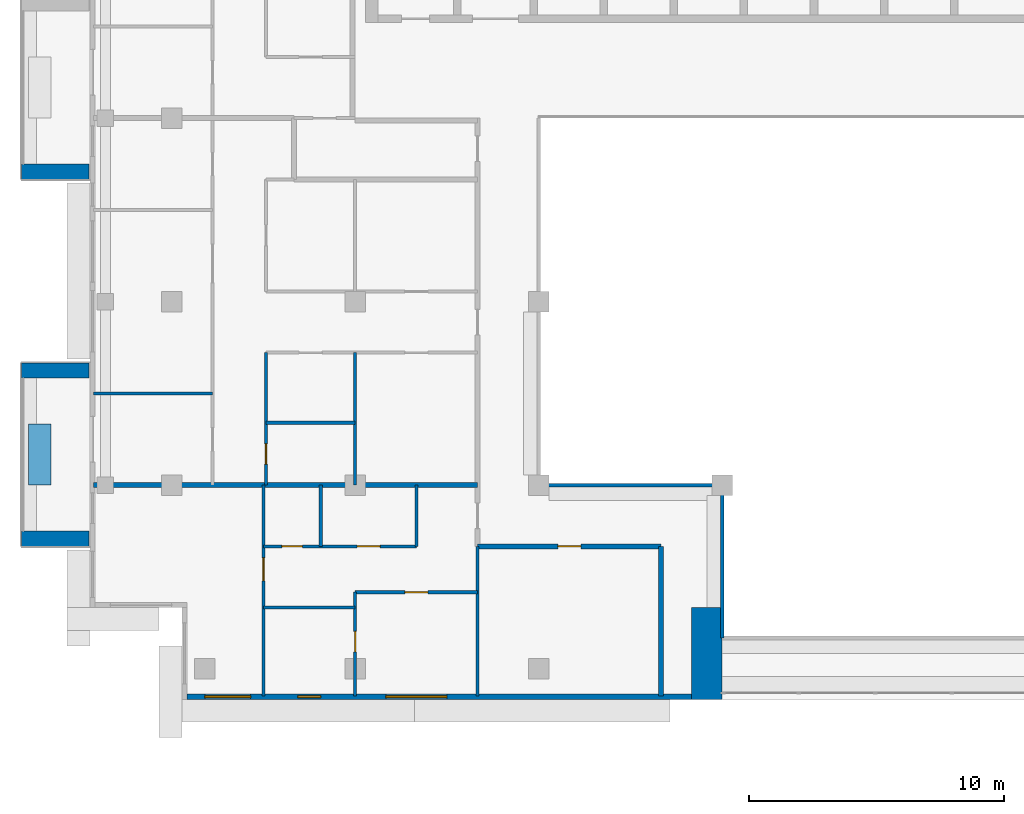
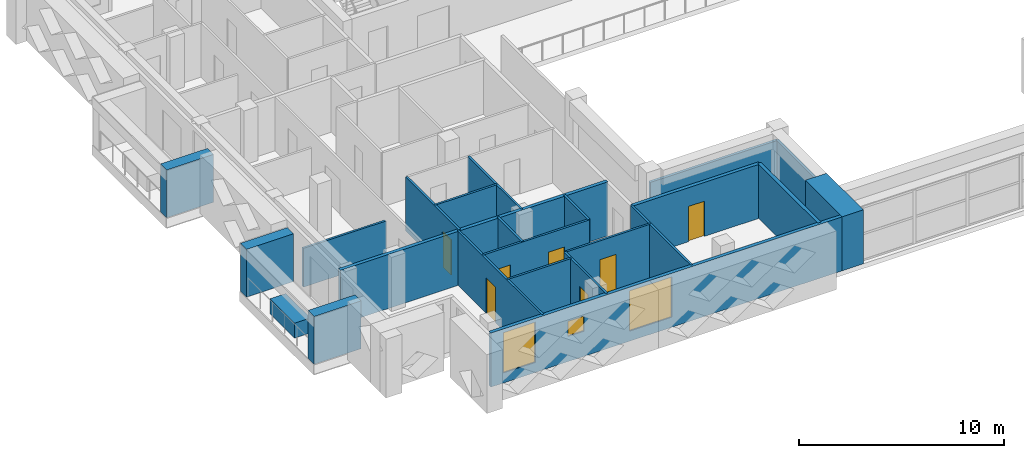
# One storey, part 6 of 19: 23 walls, 7 doors, 3 windows, 10 openings.
"""IFC4 building model written with IfcOpenShell, lengths in metres."""

import ifcopenshell
import ifcopenshell.guid

model = None  # the IFC model being written
_history = None  # IfcOwnerHistory: only IFC2X3 demands one
_inside = {}  # id of a spatial element -> (the spatial element, [elements in it])
_under = {}  # id of a project, library or spatial element -> (it, [spatial elements below it])
_declared = {}  # id of a project -> (the project, [libraries it declares])
_typed = {}  # id of a type object -> (the type object, [elements of that type])
_made_of = {}  # id of a material, layer set ... -> (it, [elements and type objects made of it])


def new_model(schema):
    """Start an empty IFC model of exactly this schema.

    Asked for "IFC4X3", IfcOpenShell would pick the latest addendum, in which some entities
    have other attributes; the version numbers below select the first issue.
    IFC2X3 requires an IfcOwnerHistory on every rooted entity: one is made here for all.
    """
    global model, _history
    if schema == "IFC4X3":
        model = ifcopenshell.file(schema_version=(4, 3, 0, 0))
    else:
        model = ifcopenshell.file(schema=schema)
    _inside.clear()
    _under.clear()
    _declared.clear()
    _typed.clear()
    _made_of.clear()
    _history = None
    if model.schema == "IFC2X3":
        org = make("IfcOrganization", Name="unknown")
        user = make(
            "IfcPersonAndOrganization",
            ThePerson=make("IfcPerson", FamilyName="unknown"),
            TheOrganization=org,
        )
        app = make(
            "IfcApplication",
            ApplicationDeveloper=org,
            Version="unknown",
            ApplicationFullName="unknown",
            ApplicationIdentifier="unknown",
        )
        _history = make(
            "IfcOwnerHistory",
            OwningUser=user,
            OwningApplication=app,
            ChangeAction="ADDED",
            CreationDate=0,
        )
    return model


def make(cls, **values):
    """One entity of the class cls with the attributes given. An attribute that is None is left unset."""
    return model.create_entity(
        cls, **{name: value for name, value in values.items() if value is not None}
    )


def rooted(cls, **values):
    """An entity with a GlobalId (a new one), such as an element, a storey or a relation."""
    return make(cls, GlobalId=ifcopenshell.guid.new(), OwnerHistory=_history, **values)


def si_unit(unit_type, name, prefix=None):
    """IfcSIUnit, for example si_unit("LENGTHUNIT", "METRE", prefix="MILLI")."""
    return make("IfcSIUnit", UnitType=unit_type, Prefix=prefix, Name=name)


def assignment(units):
    """IfcUnitAssignment: the units of a project."""
    return None if units is None else make("IfcUnitAssignment", Units=units)


def point(xyz):
    """IfcCartesianPoint."""
    return None if xyz is None else make("IfcCartesianPoint", Coordinates=xyz)


def direction(xyz):
    """IfcDirection."""
    return None if xyz is None else make("IfcDirection", DirectionRatios=xyz)


def frame(location, z_axis=None, x_axis=None):
    """IfcAxis2Placement3D, a coordinate frame: its origin and axes. An axis left out is left unset."""
    return make(
        "IfcAxis2Placement3D",
        Location=point(location),
        Axis=direction(z_axis),
        RefDirection=direction(x_axis),
    )


def frame_2d(location, x_axis=None):
    """IfcAxis2Placement2D, a coordinate frame in the plane: its origin and x axis."""
    return make(
        "IfcAxis2Placement2D", Location=point(location), RefDirection=direction(x_axis)
    )


def origin():
    """The frame at (0, 0, 0) with its axes left unset."""
    return frame((0.0, 0.0, 0.0))


def place(relative_to, where):
    """IfcLocalPlacement: puts the frame where relative to a parent placement (None: the world)."""
    return make(
        "IfcLocalPlacement", PlacementRelTo=relative_to, RelativePlacement=where
    )


def context(
    kind, dimensions, precision=None, world=None, true_north=None, identifier=None
):
    """IfcGeometricRepresentationContext, for example the 3D "Model" context."""
    return make(
        "IfcGeometricRepresentationContext",
        ContextIdentifier=identifier,
        ContextType=kind,
        CoordinateSpaceDimension=dimensions,
        Precision=precision,
        WorldCoordinateSystem=world,
        TrueNorth=true_north,
    )


def subcontext(parent, identifier, kind, view, scale=None):
    """IfcGeometricRepresentationSubContext, for example "Body" below "Model"."""
    return make(
        "IfcGeometricRepresentationSubContext",
        ContextIdentifier=identifier,
        ContextType=kind,
        ParentContext=parent,
        TargetScale=scale,
        TargetView=view,
    )


def project(units=None, contexts=None):
    """IfcProject with its units and contexts."""
    return rooted(
        "IfcProject",
        Name="project",
        RepresentationContexts=contexts,
        UnitsInContext=assignment(units),
    )


def spatial(cls, under=None, at=None, **own):
    """A site, building, storey or space (cls), placed at a placement, below another one or the project."""
    s = rooted(cls, ObjectPlacement=at, **own)
    if under is not None:
        _under.setdefault(under.id(), (under, []))[1].append(s)
    return s


def profile(cls, at=None, kind="AREA", **sizes):
    """A parametric profile (cls). Its sizes go by their IFC names, for example OverallWidth=200.0."""
    return make(cls, ProfileType=kind, Position=at, **sizes)


def rectangle(**sizes):
    """IfcRectangleProfileDef."""
    return profile("IfcRectangleProfileDef", **sizes)


def extrude(swept, where, along, depth):
    """IfcExtrudedAreaSolid: the profile swept, set in the frame where, extruded along a direction by depth."""
    return make(
        "IfcExtrudedAreaSolid",
        SweptArea=swept,
        Position=where,
        ExtrudedDirection=direction(along),
        Depth=depth,
    )


def shape(context_of_items, identifier, shape_type, items):
    """IfcShapeRepresentation: the items that make up one representation, for example the "Body"."""
    return make(
        "IfcShapeRepresentation",
        ContextOfItems=context_of_items,
        RepresentationIdentifier=identifier,
        RepresentationType=shape_type,
        Items=items,
    )


def material(Name=None, Category=None):
    """IfcMaterial."""
    return make("IfcMaterial", Name=Name, Category=Category)


def layer(
    of_material, thickness, ventilated=None, Name=None, Category=None, Priority=None
):
    """IfcMaterialLayer: one layer of a wall or slab, of a material (None: an air gap)."""
    return make(
        "IfcMaterialLayer",
        Material=of_material,
        LayerThickness=thickness,
        IsVentilated=ventilated,
        Name=Name,
        Category=Category,
        Priority=Priority,
    )


def layer_set(layers, Name=None):
    """IfcMaterialLayerSet."""
    return make("IfcMaterialLayerSet", MaterialLayers=layers, LayerSetName=Name)


def made_of(thing, what):
    """Note that an element or type object is made of a material, layer set ...; save() writes the relation."""
    if what is not None:
        _made_of.setdefault(what.id(), (what, []))[1].append(thing)
    return thing


def type_object(cls, material=None, **own):
    """A type object (cls), such as IfcWallType, which elements share."""
    return made_of(rooted(cls, **own), material)


def element(
    cls,
    number,
    at=None,
    inside=None,
    cuts=None,
    type_object=None,
    material=None,
    context=None,
    identifier="Body",
    shape_type=None,
    held_by="IfcProductDefinitionShape",
    body=None,
    shapes=None,
    **own,
):
    """One element of the class cls, such as IfcWall. Its Tag is "e" and its number.

    at: its placement. inside: the storey or other place that contains it. cuts: it is an
    opening in that element (IfcRelVoidsElement). A single representation is given by context,
    identifier, shape_type and body (its items); several are given by shapes. held_by: the class
    of the entity that holds the representations. save() writes the other relations.
    """
    e = rooted(cls, Tag="e%d" % number, ObjectPlacement=at, **own)
    if body is not None:
        shapes = [shape(context, identifier, shape_type, body)]
    if shapes is not None:
        e.Representation = make(held_by, Representations=shapes)
    if inside is not None:
        _inside.setdefault(inside.id(), (inside, []))[1].append(e)
    if cuts is not None:
        rooted(
            "IfcRelVoidsElement", RelatingBuildingElement=cuts, RelatedOpeningElement=e
        )
    if type_object is not None:
        _typed.setdefault(type_object.id(), (type_object, []))[1].append(e)
    return made_of(e, material)


def fill(opening, filler):
    """IfcRelFillsElement: the door or window that sits in an opening."""
    return rooted(
        "IfcRelFillsElement",
        RelatingOpeningElement=opening,
        RelatedBuildingElement=filler,
    )


def aggregate(whole, parts):
    """IfcRelAggregates: a whole, such as a stair, and the parts it consists of."""
    return rooted("IfcRelAggregates", RelatingObject=whole, RelatedObjects=parts)


def save(model, path):
    """Write the relations noted so far, then the file.

    IfcRelAggregates (storeys below a building ...), IfcRelContainedInSpatialStructure (elements
    in a storey), IfcRelDefinesByType, IfcRelAssociatesMaterial and IfcRelDeclares: one each for
    every whole, place, type object, material and project.
    """
    for whole, parts in _under.values():
        aggregate(whole, parts)
    for where, things in _inside.values():
        rooted(
            "IfcRelContainedInSpatialStructure",
            RelatedElements=things,
            RelatingStructure=where,
        )
    for kind, things in _typed.values():
        rooted("IfcRelDefinesByType", RelatedObjects=things, RelatingType=kind)
    for what, things in _made_of.values():
        rooted("IfcRelAssociatesMaterial", RelatedObjects=things, RelatingMaterial=what)
    for by, libraries in _declared.values():
        rooted("IfcRelDeclares", RelatingContext=by, RelatedDefinitions=libraries)
    model.write(path)


model = new_model("IFC4")

# Units and contexts
model_context = context("Model", 3, precision=1e-05, world=origin(), true_north=direction((0.0, 1.0)))
body_context = subcontext(model_context, "Body", "Model", "MODEL_VIEW")
ifc_project = project(units=[si_unit("LENGTHUNIT", "METRE"), si_unit("AREAUNIT", "SQUARE_METRE"), si_unit("VOLUMEUNIT", "CUBIC_METRE"), si_unit("PLANEANGLEUNIT", "RADIAN"), si_unit("MASSUNIT", "GRAM", prefix="KILO")], contexts=[model_context])

# Site, building, storey
site_placement = place(None, origin())
site = spatial("IfcSite", under=ifc_project, at=site_placement, CompositionType="ELEMENT")
building_placement = place(site_placement, origin())
building = spatial("IfcBuilding", under=site, at=building_placement, Name="Saffron Iwan Residences", CompositionType="ELEMENT")
storey_placement = place(building_placement, frame((0.0, 0.0, 250.0)))
storey = spatial("IfcBuildingStorey", under=building, at=storey_placement, Name="L67", CompositionType="ELEMENT", Elevation=250.0)

# Walls
ifc_material_1 = material(Name="Fire-rated glazing", Category="glass")
ifc_layer_1 = layer(ifc_material_1, 0.14990234375)
ifc_layer_set_1 = layer_set([ifc_layer_1], Name="Fire-rated glazing")
wall_type_1 = type_object("IfcWallType", Name="Atrium glazed screen 150", PredefinedType="SOLIDWALL", material=ifc_layer_set_1)
wall_1_placement = place(storey_placement, frame((36.0, 48.0, 0.0), z_axis=(0.0, 0.0, 1.0), x_axis=(1.0, 0.0, 0.0)))
element("IfcWall", 1, at=wall_1_placement, inside=storey, type_object=wall_type_1, Name="W-L67-SCREEN-h48-36", PredefinedType="SOLIDWALL", context=body_context, shape_type="SweptSolid", body=[
    extrude(rectangle(XDim=7.199951171875, YDim=0.14990234375, at=frame_2d((3.60009765625, 0.0))), origin(), (0.0, 0.0, 1.0), 2.320068359375),
])
wall_2_placement = place(storey_placement, frame((43.199951171875, 42.0, 0.0), z_axis=(0.0, 0.0, 1.0), x_axis=(0.0, 1.0, 0.0)))
element("IfcWall", 2, at=wall_2_placement, inside=storey, type_object=wall_type_1, Name="W-L67-SCREEN-v43.2-42", PredefinedType="SOLIDWALL", context=body_context, shape_type="SweptSolid", body=[
    extrude(rectangle(XDim=6.0, YDim=0.14990234375, at=frame_2d((3.0, 0.0))), origin(), (0.0, 0.0, 1.0), 2.320068359375),
])
ifc_material_2 = material(Name="Concrete C50/60 white painted", Category="concrete")
ifc_layer_2 = layer(ifc_material_2, 0.60009765625)
ifc_layer_set_2 = layer_set([ifc_layer_2], Name="Concrete C50/60 white painted")
wall_type_2 = type_object("IfcWallType", Name="BALCONY FIN 600", PredefinedType="SOLIDWALL", material=ifc_layer_set_2)
for number, where, z_axis, x_axis, name in (
    (3, (18.35009765625, 60.300048828125, 0.0), (0.0, 0.0, 1.0), (-1.0, 0.0, 0.0), "Balcony fin L67 F8-0b"),
    (4, (18.35009765625, 52.5, 0.0), (0.0, 0.0, 1.0), (-1.0, 0.0, 0.0), "Balcony fin L67 F8-1a"),
    (5, (18.35009765625, 45.89990234375, 0.0), (0.0, 0.0, 1.0), (-1.0, 0.0, 0.0), "Balcony fin L67 F8-1b"),
):
    element("IfcWall", number, at=place(storey_placement, frame(where, z_axis=z_axis, x_axis=x_axis)), inside=storey, type_object=wall_type_2, Name=name, PredefinedType="SOLIDWALL", context=body_context, shape_type="SweptSolid", body=[
        extrude(rectangle(XDim=2.650146484375, YDim=0.60009765625, at=frame_2d((1.3251953125, 0.0))), origin(), (0.0, 0.0, 1.0), 2.85009765625),
    ])
ifc_material_3 = material(Name="Concrete C35/45 white painted", Category="concrete")
ifc_layer_3 = layer(ifc_material_3, 0.14990234375)
ifc_layer_set_3 = layer_set([ifc_layer_3], Name="Concrete C35/45 white painted")
wall_type_3 = type_object("IfcWallType", Name="BALCONY PLANTER", PredefinedType="SOLIDWALL", material=ifc_layer_set_3)
wall_3_placement = place(storey_placement, frame((16.425048828125, 50.39990234375, 0.0), z_axis=(0.0, 0.0, 1.0), x_axis=(0.0, -1.0, 0.0)))
element("IfcWall", 6, at=wall_3_placement, inside=storey, type_object=wall_type_3, Name="PLANTER L67 F8-1", PredefinedType="SOLIDWALL", context=body_context, shape_type="SweptSolid", body=[
    extrude(rectangle(XDim=2.39990234375, YDim=0.89990234375, at=frame_2d((1.199951171875, 0.0))), origin(), (0.0, 0.0, 1.0), 0.89990234375),
])

# Wall, openings, windows
ifc_material_4 = material(Name="Concrete C40/50", Category="concrete")
ifc_layer_4 = layer(ifc_material_4, 0.199951171875)
ifc_layer_set_4 = layer_set([ifc_layer_4], Name="Concrete C40/50")
wall_type_4 = type_object("IfcWallType", Name="EXTERNAL WALL 200", PredefinedType="SOLIDWALL", material=ifc_layer_set_4)
wall_4_placement = place(storey_placement, frame((22.199951171875, 39.699951171875, 0.0), z_axis=(0.0, 0.0, 1.0), x_axis=(1.0, 0.0, 0.0)))
wall_4 = element("IfcWall", 7, at=wall_4_placement, inside=storey, type_object=wall_type_4, Name="External wall L67 F11.0", PredefinedType="SOLIDWALL", context=body_context, shape_type="SweptSolid", body=[
    extrude(rectangle(XDim=19.800048828125, YDim=0.199951171875, at=frame_2d((9.89990234375, 0.0))), origin(), (0.0, 0.0, 1.0), 3.219970703125),
])
opening_1_placement = place(wall_4_placement, frame((0.699951171875, 0.0, 0.60009765625)))
opening_1 = element("IfcOpeningElement", 8, at=opening_1_placement, cuts=wall_4, Name="Opening W8", PredefinedType="OPENING", context=body_context, shape_type="SweptSolid", body=[
    extrude(rectangle(XDim=1.800048828125, YDim=2.39990234375, at=frame_2d((0.89990234375, 1.199951171875))), frame((0.0, 0.10986328125, 0.0), z_axis=(0.0, -1.0, 0.0), x_axis=(1.0, 0.0, 0.0)), (0.0, 0.0, 1.0), 0.219970703125),
])
opening_2_placement = place(wall_4_placement, frame((7.800048828125, 0.0, 0.60009765625)))
opening_2 = element("IfcOpeningElement", 9, at=opening_2_placement, cuts=wall_4, Name="Opening W1", PredefinedType="OPENING", context=body_context, shape_type="SweptSolid", body=[
    extrude(rectangle(XDim=2.39990234375, YDim=2.39990234375, at=frame_2d((1.199951171875, 1.199951171875))), frame((0.0, 0.10986328125, 0.0), z_axis=(0.0, -1.0, 0.0), x_axis=(1.0, 0.0, 0.0)), (0.0, 0.0, 1.0), 0.219970703125),
])
opening_3_placement = place(wall_4_placement, frame((4.35009765625, 0.0, 1.5)))
opening_3 = element("IfcOpeningElement", 10, at=opening_3_placement, cuts=wall_4, Name="Opening W6", PredefinedType="OPENING", context=body_context, shape_type="SweptSolid", body=[
    extrude(rectangle(XDim=0.89990234375, YDim=0.89990234375, at=frame_2d((0.449951171875, 0.449951171875))), frame((0.0, 0.10986328125, 0.0), z_axis=(0.0, -1.0, 0.0), x_axis=(1.0, 0.0, 0.0)), (0.0, 0.0, 1.0), 0.219970703125),
])
ifc_material_5 = material(Name="Clear glass, laminated double glazed", Category="glass")
window_type_1 = type_object("IfcWindowType", Name="WINDOW 1800 x 2400", PartitioningType="DOUBLE_PANEL_VERTICAL", PredefinedType="WINDOW", material=ifc_material_5)
window_1_placement = place(opening_1_placement, origin())
window_1 = element("IfcWindow", 11, at=window_1_placement, inside=storey, type_object=window_type_1, Name="Window L67 F11.0", OverallHeight=2.39990234375, OverallWidth=1.800048828125, PartitioningType="DOUBLE_PANEL_VERTICAL", PredefinedType="WINDOW", context=body_context, shape_type="SweptSolid", body=[
    extrude(rectangle(XDim=1.800048828125, YDim=2.39990234375, at=frame_2d((0.89990234375, 1.199951171875))), frame((0.0, 0.030029296875, 0.0), z_axis=(0.0, -1.0, 0.0), x_axis=(1.0, 0.0, 0.0)), (0.0, 0.0, 1.0), 0.06005859375),
])
fill(opening_1, window_1)
window_type_2 = type_object("IfcWindowType", Name="WINDOW 2400 x 2400", PartitioningType="DOUBLE_PANEL_VERTICAL", PredefinedType="WINDOW", material=ifc_material_5)
window_2_placement = place(opening_2_placement, origin())
window_2 = element("IfcWindow", 12, at=window_2_placement, inside=storey, type_object=window_type_2, Name="Window L67 F11.1", OverallHeight=2.39990234375, OverallWidth=2.39990234375, PartitioningType="DOUBLE_PANEL_VERTICAL", PredefinedType="WINDOW", context=body_context, shape_type="SweptSolid", body=[
    extrude(rectangle(XDim=2.39990234375, YDim=2.39990234375, at=frame_2d((1.199951171875, 1.199951171875))), frame((0.0, 0.030029296875, 0.0), z_axis=(0.0, -1.0, 0.0), x_axis=(1.0, 0.0, 0.0)), (0.0, 0.0, 1.0), 0.06005859375),
])
fill(opening_2, window_2)
window_type_3 = type_object("IfcWindowType", Name="WINDOW 900 x 900 BATH", PartitioningType="SINGLE_PANEL", PredefinedType="WINDOW", material=ifc_material_5)
window_3_placement = place(opening_3_placement, origin())
window_3 = element("IfcWindow", 13, at=window_3_placement, inside=storey, type_object=window_type_3, Name="Window L67 F11.2", OverallHeight=0.89990234375, OverallWidth=0.89990234375, PartitioningType="SINGLE_PANEL", PredefinedType="WINDOW", context=body_context, shape_type="SweptSolid", body=[
    extrude(rectangle(XDim=0.89990234375, YDim=0.89990234375, at=frame_2d((0.449951171875, 0.449951171875))), frame((0.0, 0.030029296875, 0.0), z_axis=(0.0, -1.0, 0.0), x_axis=(1.0, 0.0, 0.0)), (0.0, 0.0, 1.0), 0.06005859375),
])
fill(opening_3, window_3)

# Walls
ifc_material_6 = material(Name="Fire-rated gypsum board wall")
ifc_layer_5 = layer(ifc_material_6, 0.199951171875)
ifc_layer_set_5 = layer_set([ifc_layer_5], Name="Fire-rated gypsum board wall")
wall_type_5 = type_object("IfcWallType", Name="Flat demising wall 200", PredefinedType="SOLIDWALL", material=ifc_layer_set_5)
wall_5_placement = place(storey_placement, frame((18.52490234375, 48.0, 0.0), z_axis=(0.0, 0.0, 1.0), x_axis=(1.0, 0.0, 0.0)))
element("IfcWall", 14, at=wall_5_placement, inside=storey, type_object=wall_type_5, Name="W-L67-DEMISE-h48-18.525", PredefinedType="SOLIDWALL", context=body_context, shape_type="SweptSolid", body=[
    extrude(rectangle(XDim=15.0751953125, YDim=0.199951171875, at=frame_2d((7.53759765625, 0.0))), origin(), (0.0, 0.0, 1.0), 3.219970703125),
])
ifc_material_7 = material(Name="Gypsum board partition")
ifc_layer_6 = layer(ifc_material_7, 0.1201171875)
ifc_layer_set_6 = layer_set([ifc_layer_6], Name="Gypsum board partition")
wall_type_6 = type_object("IfcWallType", Name="Flat partition 120", PredefinedType="PARTITIONING", material=ifc_layer_set_6)
wall_6_placement = place(storey_placement, frame((25.199951171875, 43.199951171875, 0.0), z_axis=(0.0, 0.0, 1.0), x_axis=(1.0, 0.0, 0.0)))
element("IfcWall", 15, at=wall_6_placement, inside=storey, type_object=wall_type_6, Name="W-L67-PART-h43.2-25.2", PredefinedType="PARTITIONING", context=body_context, shape_type="SweptSolid", body=[
    extrude(rectangle(XDim=3.60009765625, YDim=0.1201171875, at=frame_2d((1.800048828125, 0.0))), origin(), (0.0, 0.0, 1.0), 3.219970703125),
])

# Wall, opening, door
wall_7_placement = place(storey_placement, frame((28.800048828125, 43.800048828125, 0.0), z_axis=(0.0, 0.0, 1.0), x_axis=(1.0, 0.0, 0.0)))
wall_7 = element("IfcWall", 16, at=wall_7_placement, inside=storey, type_object=wall_type_6, Name="W-L67-PART-h43.8-28.8", PredefinedType="PARTITIONING", context=body_context, shape_type="SweptSolid", body=[
    extrude(rectangle(XDim=4.800048828125, YDim=0.1201171875, at=frame_2d((2.39990234375, 0.0))), origin(), (0.0, 0.0, 1.0), 3.219970703125),
])
opening_4_placement = place(wall_7_placement, frame((1.949951171875, 0.0, 0.0)))
opening_4 = element("IfcOpeningElement", 17, at=opening_4_placement, cuts=wall_7, Name="Opening FD2", PredefinedType="OPENING", context=body_context, shape_type="SweptSolid", body=[
    extrude(rectangle(XDim=0.89990234375, YDim=2.10009765625, at=frame_2d((0.449951171875, 1.050048828125))), frame((0.0, 0.070068359375, 0.0), z_axis=(0.0, -1.0, 0.0), x_axis=(1.0, 0.0, 0.0)), (0.0, 0.0, 1.0), 0.14013671875),
])
ifc_material_8 = material(Name="Timber door", Category="wood")
door_type_1 = type_object("IfcDoorType", Name="Flat door 900", OperationType="NOTDEFINED", PredefinedType="DOOR", material=ifc_material_8)
door_1_placement = place(opening_4_placement, origin())
door_1 = element("IfcDoor", 18, at=door_1_placement, inside=storey, type_object=door_type_1, Name="Door L67-003", OperationType="SINGLE_SWING_RIGHT", OverallHeight=2.10009765625, OverallWidth=0.89990234375, PredefinedType="DOOR", context=body_context, shape_type="SweptSolid", body=[
    extrude(rectangle(XDim=0.89990234375, YDim=2.10009765625, at=frame_2d((0.449951171875, 1.050048828125))), frame((0.0, 0.02490234375, 0.0), z_axis=(0.0, -1.0, 0.0), x_axis=(1.0, 0.0, 0.0)), (0.0, 0.0, 1.0), 0.050048828125),
])
fill(opening_4, door_1)

# Wall, openings, doors
wall_8_placement = place(storey_placement, frame((25.199951171875, 45.60009765625, 0.0), z_axis=(0.0, 0.0, 1.0), x_axis=(1.0, 0.0, 0.0)))
wall_8 = element("IfcWall", 19, at=wall_8_placement, inside=storey, type_object=wall_type_6, Name="W-L67-PART-h45.6-25.2", PredefinedType="PARTITIONING", context=body_context, shape_type="SweptSolid", body=[
    extrude(rectangle(XDim=6.0, YDim=0.1201171875, at=frame_2d((3.0, 0.0))), origin(), (0.0, 0.0, 1.0), 3.219970703125),
])
opening_5_placement = place(wall_8_placement, frame((0.72509765625, 0.0, 0.0)))
opening_5 = element("IfcOpeningElement", 20, at=opening_5_placement, cuts=wall_8, Name="Opening FD3", PredefinedType="OPENING", context=body_context, shape_type="SweptSolid", body=[
    extrude(rectangle(XDim=0.800048828125, YDim=2.10009765625, at=frame_2d((0.39990234375, 1.050048828125))), frame((0.0, 0.070068359375, 0.0), z_axis=(0.0, -1.0, 0.0), x_axis=(1.0, 0.0, 0.0)), (0.0, 0.0, 1.0), 0.14013671875),
])
opening_6_placement = place(wall_8_placement, frame((3.675048828125, 0.0, 0.0)))
opening_6 = element("IfcOpeningElement", 21, at=opening_6_placement, cuts=wall_8, Name="Opening FD2", PredefinedType="OPENING", context=body_context, shape_type="SweptSolid", body=[
    extrude(rectangle(XDim=0.89990234375, YDim=2.10009765625, at=frame_2d((0.449951171875, 1.050048828125))), frame((0.0, 0.070068359375, 0.0), z_axis=(0.0, -1.0, 0.0), x_axis=(1.0, 0.0, 0.0)), (0.0, 0.0, 1.0), 0.14013671875),
])
door_type_2 = type_object("IfcDoorType", Name="Bathroom door 800", OperationType="NOTDEFINED", PredefinedType="DOOR", material=ifc_material_8)
door_2_placement = place(opening_5_placement, origin())
door_2 = element("IfcDoor", 22, at=door_2_placement, inside=storey, type_object=door_type_2, Name="Door L67-005", OperationType="SINGLE_SWING_LEFT", OverallHeight=2.10009765625, OverallWidth=0.800048828125, PredefinedType="DOOR", context=body_context, shape_type="SweptSolid", body=[
    extrude(rectangle(XDim=0.800048828125, YDim=2.10009765625, at=frame_2d((0.39990234375, 1.050048828125))), frame((0.0, 0.02490234375, 0.0), z_axis=(0.0, -1.0, 0.0), x_axis=(1.0, 0.0, 0.0)), (0.0, 0.0, 1.0), 0.050048828125),
])
fill(opening_5, door_2)
door_3_placement = place(opening_6_placement, origin())
door_3 = element("IfcDoor", 23, at=door_3_placement, inside=storey, type_object=door_type_1, Name="Door L67-006", OperationType="SINGLE_SWING_RIGHT", OverallHeight=2.10009765625, OverallWidth=0.89990234375, PredefinedType="DOOR", context=body_context, shape_type="SweptSolid", body=[
    extrude(rectangle(XDim=0.89990234375, YDim=2.10009765625, at=frame_2d((0.449951171875, 1.050048828125))), frame((0.0, 0.02490234375, 0.0), z_axis=(0.0, -1.0, 0.0), x_axis=(1.0, 0.0, 0.0)), (0.0, 0.0, 1.0), 0.050048828125),
])
fill(opening_6, door_3)

# Walls
wall_9_placement = place(storey_placement, frame((25.300048828125, 50.449951171875, 0.0), z_axis=(0.0, 0.0, 1.0), x_axis=(1.0, 0.0, 0.0)))
element("IfcWall", 24, at=wall_9_placement, inside=storey, type_object=wall_type_6, Name="W-L67-PART-h50.45-25.3", PredefinedType="PARTITIONING", context=body_context, shape_type="SweptSolid", body=[
    extrude(rectangle(XDim=3.5, YDim=0.1201171875, at=frame_2d((1.75, 0.0))), origin(), (0.0, 0.0, 1.0), 3.219970703125),
])
wall_10_placement = place(storey_placement, frame((18.52490234375, 51.60009765625, 0.0), z_axis=(0.0, 0.0, 1.0), x_axis=(1.0, 0.0, 0.0)))
element("IfcWall", 25, at=wall_10_placement, inside=storey, type_object=wall_type_6, Name="W-L67-PART-h51.6-18.525", PredefinedType="PARTITIONING", context=body_context, shape_type="SweptSolid", body=[
    extrude(rectangle(XDim=4.675048828125, YDim=0.1201171875, at=frame_2d((2.33740234375, 0.0))), origin(), (0.0, 0.0, 1.0), 2.320068359375),
])

# Wall, opening, door
wall_11_placement = place(storey_placement, frame((25.199951171875, 39.72509765625, 0.0), z_axis=(0.0, 0.0, 1.0), x_axis=(0.0, 1.0, 0.0)))
wall_11 = element("IfcWall", 26, at=wall_11_placement, inside=storey, type_object=wall_type_6, Name="W-L67-PART-v25.2-39.725", PredefinedType="PARTITIONING", context=body_context, shape_type="SweptSolid", body=[
    extrude(rectangle(XDim=8.27490234375, YDim=0.1201171875, at=frame_2d((4.137451171875, 0.0))), origin(), (0.0, 0.0, 1.0), 3.219970703125),
])
opening_7_placement = place(wall_11_placement, frame((4.52490234375, 0.0, 0.0)))
opening_7 = element("IfcOpeningElement", 27, at=opening_7_placement, cuts=wall_11, Name="Opening FD2", PredefinedType="OPENING", context=body_context, shape_type="SweptSolid", body=[
    extrude(rectangle(XDim=0.89990234375, YDim=2.10009765625, at=frame_2d((0.449951171875, 1.050048828125))), frame((0.0, 0.070068359375, 0.0), z_axis=(0.0, -1.0, 0.0), x_axis=(1.0, 0.0, 0.0)), (0.0, 0.0, 1.0), 0.14013671875),
])
door_4_placement = place(opening_7_placement, origin())
door_4 = element("IfcDoor", 28, at=door_4_placement, inside=storey, type_object=door_type_1, Name="Door L67-002", OperationType="SINGLE_SWING_LEFT", OverallHeight=2.10009765625, OverallWidth=0.89990234375, PredefinedType="DOOR", context=body_context, shape_type="SweptSolid", body=[
    extrude(rectangle(XDim=0.89990234375, YDim=2.10009765625, at=frame_2d((0.449951171875, 1.050048828125))), frame((0.0, 0.02490234375, 0.0), z_axis=(0.0, -1.0, 0.0), x_axis=(1.0, 0.0, 0.0)), (0.0, 0.0, 1.0), 0.050048828125),
])
fill(opening_7, door_4)

wall_12_placement = place(storey_placement, frame((25.300048828125, 48.0, 0.0), z_axis=(0.0, 0.0, 1.0), x_axis=(0.0, 1.0, 0.0)))
wall_12 = element("IfcWall", 29, at=wall_12_placement, inside=storey, type_object=wall_type_6, Name="W-L67-PART-v25.3-48", PredefinedType="PARTITIONING", context=body_context, shape_type="SweptSolid", body=[
    extrude(rectangle(XDim=5.199951171875, YDim=0.1201171875, at=frame_2d((2.60009765625, 0.0))), origin(), (0.0, 0.0, 1.0), 3.219970703125),
])
opening_8_placement = place(wall_12_placement, frame((0.824951171875, 0.0, 0.0)))
opening_8 = element("IfcOpeningElement", 30, at=opening_8_placement, cuts=wall_12, Name="Opening FD3", PredefinedType="OPENING", context=body_context, shape_type="SweptSolid", body=[
    extrude(rectangle(XDim=0.800048828125, YDim=2.10009765625, at=frame_2d((0.39990234375, 1.050048828125))), frame((0.0, 0.070068359375, 0.0), z_axis=(0.0, -1.0, 0.0), x_axis=(1.0, 0.0, 0.0)), (0.0, 0.0, 1.0), 0.14013671875),
])
door_5_placement = place(opening_8_placement, origin())
door_5 = element("IfcDoor", 31, at=door_5_placement, inside=storey, type_object=door_type_2, Name="Door L67-012", OperationType="SINGLE_SWING_RIGHT", OverallHeight=2.10009765625, OverallWidth=0.800048828125, PredefinedType="DOOR", context=body_context, shape_type="SweptSolid", body=[
    extrude(rectangle(XDim=0.800048828125, YDim=2.10009765625, at=frame_2d((0.39990234375, 1.050048828125))), frame((0.0, 0.02490234375, 0.0), z_axis=(0.0, -1.0, 0.0), x_axis=(1.0, 0.0, 0.0)), (0.0, 0.0, 1.0), 0.050048828125),
])
fill(opening_8, door_5)

# Wall
wall_13_placement = place(storey_placement, frame((27.449951171875, 45.60009765625, 0.0), z_axis=(0.0, 0.0, 1.0), x_axis=(0.0, 1.0, 0.0)))
element("IfcWall", 32, at=wall_13_placement, inside=storey, type_object=wall_type_6, Name="W-L67-PART-v27.45-45.6", PredefinedType="PARTITIONING", context=body_context, shape_type="SweptSolid", body=[
    extrude(rectangle(XDim=2.39990234375, YDim=0.1201171875, at=frame_2d((1.199951171875, 0.0))), origin(), (0.0, 0.0, 1.0), 3.219970703125),
])

# Wall, opening, door
wall_14_placement = place(storey_placement, frame((28.800048828125, 39.72509765625, 0.0), z_axis=(0.0, 0.0, 1.0), x_axis=(0.0, 1.0, 0.0)))
wall_14 = element("IfcWall", 33, at=wall_14_placement, inside=storey, type_object=wall_type_6, Name="W-L67-PART-v28.8-39.725", PredefinedType="PARTITIONING", context=body_context, shape_type="SweptSolid", body=[
    extrude(rectangle(XDim=4.074951171875, YDim=0.1201171875, at=frame_2d((2.03759765625, 0.0))), origin(), (0.0, 0.0, 1.0), 3.219970703125),
])
opening_9_placement = place(wall_14_placement, frame((1.737548828125, 0.0, 0.0)))
opening_9 = element("IfcOpeningElement", 34, at=opening_9_placement, cuts=wall_14, Name="Opening FD3", PredefinedType="OPENING", context=body_context, shape_type="SweptSolid", body=[
    extrude(rectangle(XDim=0.800048828125, YDim=2.10009765625, at=frame_2d((0.39990234375, 1.050048828125))), frame((0.0, 0.070068359375, 0.0), z_axis=(0.0, -1.0, 0.0), x_axis=(1.0, 0.0, 0.0)), (0.0, 0.0, 1.0), 0.14013671875),
])
door_6_placement = place(opening_9_placement, origin())
door_6 = element("IfcDoor", 35, at=door_6_placement, inside=storey, type_object=door_type_2, Name="Door L67-004", OperationType="SINGLE_SWING_RIGHT", OverallHeight=2.10009765625, OverallWidth=0.800048828125, PredefinedType="DOOR", context=body_context, shape_type="SweptSolid", body=[
    extrude(rectangle(XDim=0.800048828125, YDim=2.10009765625, at=frame_2d((0.39990234375, 1.050048828125))), frame((0.0, 0.02490234375, 0.0), z_axis=(0.0, -1.0, 0.0), x_axis=(1.0, 0.0, 0.0)), (0.0, 0.0, 1.0), 0.050048828125),
])
fill(opening_9, door_6)

# Walls
wall_15_placement = place(storey_placement, frame((28.800048828125, 48.0, 0.0), z_axis=(0.0, 0.0, 1.0), x_axis=(0.0, 1.0, 0.0)))
element("IfcWall", 36, at=wall_15_placement, inside=storey, type_object=wall_type_6, Name="W-L67-PART-v28.8-48", PredefinedType="PARTITIONING", context=body_context, shape_type="SweptSolid", body=[
    extrude(rectangle(XDim=5.199951171875, YDim=0.1201171875, at=frame_2d((2.60009765625, 0.0))), origin(), (0.0, 0.0, 1.0), 3.219970703125),
])
wall_16_placement = place(storey_placement, frame((31.199951171875, 45.60009765625, 0.0), z_axis=(0.0, 0.0, 1.0), x_axis=(0.0, 1.0, 0.0)))
element("IfcWall", 37, at=wall_16_placement, inside=storey, type_object=wall_type_6, Name="W-L67-PART-v31.2-45.6", PredefinedType="PARTITIONING", context=body_context, shape_type="SweptSolid", body=[
    extrude(rectangle(XDim=2.39990234375, YDim=0.1201171875, at=frame_2d((1.199951171875, 0.0))), origin(), (0.0, 0.0, 1.0), 3.219970703125),
])
wall_17_placement = place(storey_placement, frame((33.60009765625, 39.72509765625, 0.0), z_axis=(0.0, 0.0, 1.0), x_axis=(0.0, 1.0, 0.0)))
element("IfcWall", 38, at=wall_17_placement, inside=storey, type_object=wall_type_6, Name="W-L67-PART-v33.6-39.725", PredefinedType="PARTITIONING", context=body_context, shape_type="SweptSolid", body=[
    extrude(rectangle(XDim=5.875, YDim=0.1201171875, at=frame_2d((2.9375, 0.0))), origin(), (0.0, 0.0, 1.0), 3.219970703125),
])

# Wall, opening, door
ifc_layer_7 = layer(ifc_material_6, 0.199951171875)
ifc_layer_set_7 = layer_set([ifc_layer_7], Name="Fire-rated gypsum board wall")
wall_type_7 = type_object("IfcWallType", Name="Gallery wall 200", PredefinedType="SOLIDWALL", material=ifc_layer_set_7)
wall_18_placement = place(storey_placement, frame((33.60009765625, 45.60009765625, 0.0), z_axis=(0.0, 0.0, 1.0), x_axis=(1.0, 0.0, 0.0)))
wall_18 = element("IfcWall", 39, at=wall_18_placement, inside=storey, type_object=wall_type_7, Name="W-L67-CORR-h45.6-33.6", PredefinedType="SOLIDWALL", context=body_context, shape_type="SweptSolid", body=[
    extrude(rectangle(XDim=7.199951171875, YDim=0.199951171875, at=frame_2d((3.60009765625, 0.0))), origin(), (0.0, 0.0, 1.0), 3.219970703125),
])
opening_10_placement = place(wall_18_placement, frame((3.14990234375, 0.0, 0.0)))
opening_10 = element("IfcOpeningElement", 40, at=opening_10_placement, cuts=wall_18, Name="Opening FD2", PredefinedType="OPENING", context=body_context, shape_type="SweptSolid", body=[
    extrude(rectangle(XDim=0.89990234375, YDim=2.10009765625, at=frame_2d((0.449951171875, 1.050048828125))), frame((0.0, 0.10986328125, 0.0), z_axis=(0.0, -1.0, 0.0), x_axis=(1.0, 0.0, 0.0)), (0.0, 0.0, 1.0), 0.219970703125),
])
door_7_placement = place(opening_10_placement, origin())
door_7 = element("IfcDoor", 41, at=door_7_placement, inside=storey, type_object=door_type_1, Name="Door L67-007", OperationType="SINGLE_SWING_LEFT", OverallHeight=2.10009765625, OverallWidth=0.89990234375, PredefinedType="DOOR", context=body_context, shape_type="SweptSolid", body=[
    extrude(rectangle(XDim=0.89990234375, YDim=2.10009765625, at=frame_2d((0.449951171875, 1.050048828125))), frame((0.0, 0.02490234375, 0.0), z_axis=(0.0, -1.0, 0.0), x_axis=(1.0, 0.0, 0.0)), (0.0, 0.0, 1.0), 0.050048828125),
])
fill(opening_10, door_7)

# Walls
wall_19_placement = place(storey_placement, frame((40.800048828125, 39.72509765625, 0.0), z_axis=(0.0, 0.0, 1.0), x_axis=(0.0, 1.0, 0.0)))
element("IfcWall", 42, at=wall_19_placement, inside=storey, type_object=wall_type_7, Name="W-L67-CORR-v40.8-39.725", PredefinedType="SOLIDWALL", context=body_context, shape_type="SweptSolid", body=[
    extrude(rectangle(XDim=5.875, YDim=0.199951171875, at=frame_2d((2.9375, 0.0))), origin(), (0.0, 0.0, 1.0), 3.219970703125),
])
ifc_layer_8 = layer(ifc_material_4, 1.199951171875)
ifc_layer_set_8 = layer_set([ifc_layer_8], Name="Concrete C40/50")
wall_type_8 = type_object("IfcWallType", Name="WALL IWAN PIER 1200 C40/50 3220 HIGH", PredefinedType="SHEAR", material=ifc_layer_set_8)
wall_20_placement = place(storey_placement, frame((42.60009765625, 39.60009765625, 0.0), z_axis=(0.0, 0.0, 1.0), x_axis=(0.0, 1.0, 0.0)))
element("IfcWall", 43, at=wall_20_placement, inside=storey, type_object=wall_type_8, Name="IWAN PIER", PredefinedType="SHEAR", context=body_context, shape_type="SweptSolid", body=[
    extrude(rectangle(XDim=3.599853515625, YDim=1.199951171875, at=frame_2d((1.7998046875, 0.0))), origin(), (0.0, 0.0, 1.0), 3.219970703125),
])

save(model, "model.ifc")
